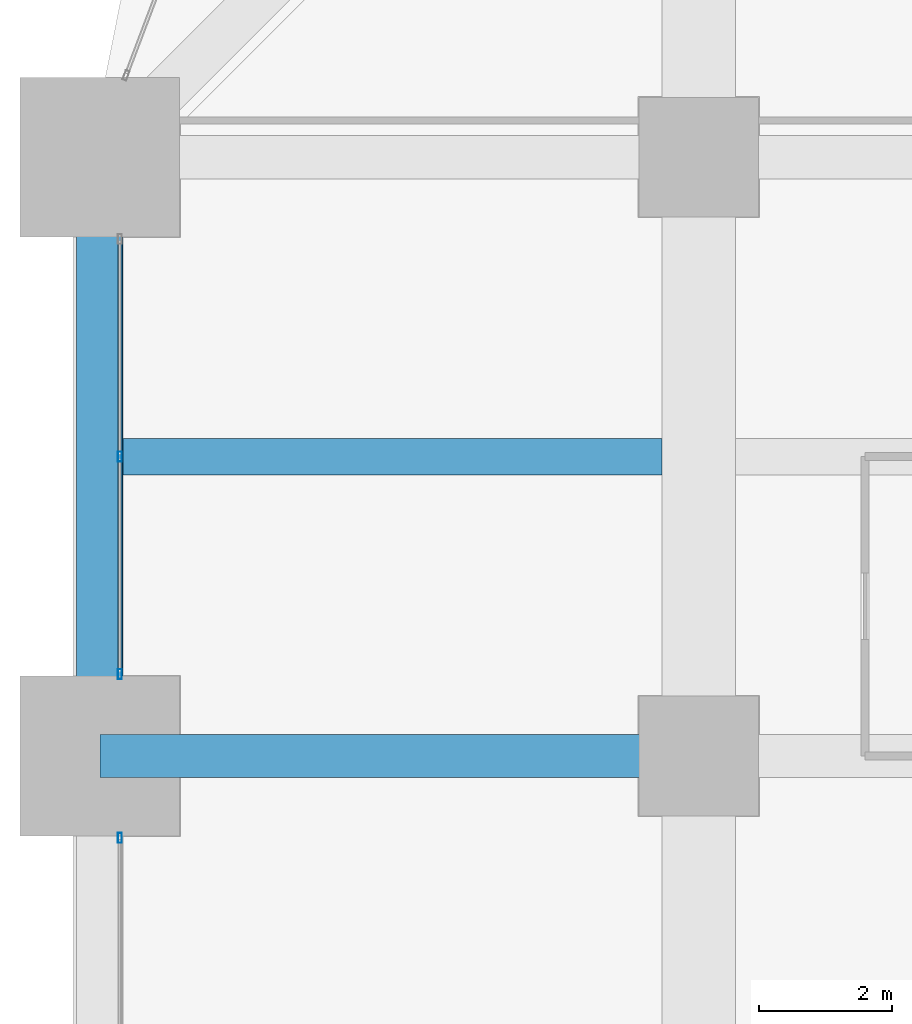
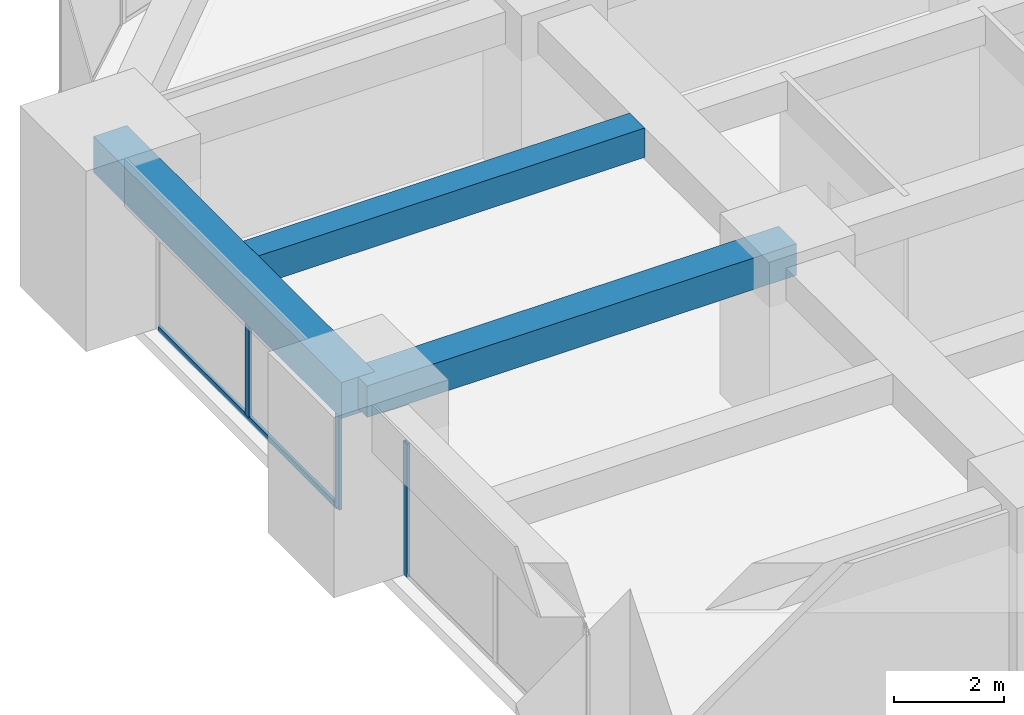
# One storey, part 11 of 39: 4 members, 3 beams, 2 elements without a shape of their own.
"""IFC4 building model written with IfcOpenShell, lengths in metres."""

from ifc_helpers import new_model, si_unit, direction, frame, origin, origin_2d, place, context, subcontext, project, spatial, rectangle, hollow_rectangle, extrude, material, material_profile, profile_set, type_object, element, aggregate, save


model = new_model("IFC4")

# Units and contexts
model_context = context("Model", 3, precision=1e-05, world=origin(), true_north=direction((0.0, 1.0)))
body_context = subcontext(model_context, "Body", "Model", "MODEL_VIEW")
ifc_project = project(units=[si_unit("LENGTHUNIT", "METRE"), si_unit("AREAUNIT", "SQUARE_METRE"), si_unit("VOLUMEUNIT", "CUBIC_METRE"), si_unit("PLANEANGLEUNIT", "RADIAN"), si_unit("MASSUNIT", "GRAM", prefix="KILO")], contexts=[model_context])

# Site, building, storey
site_placement = place(None, origin())
site = spatial("IfcSite", under=ifc_project, at=site_placement, CompositionType="ELEMENT")
building_placement = place(site_placement, origin())
building = spatial("IfcBuilding", under=site, at=building_placement, Name="Zorevar Civic Tower", CompositionType="ELEMENT")
storey_placement = place(building_placement, frame((0.0, 0.0, 125.0)))
storey = spatial("IfcBuildingStorey", under=building, at=storey_placement, Name="L30", CompositionType="ELEMENT", Elevation=125.0)

# Beams
ifc_material_1 = material(Name="Concrete C50/60", Category="concrete")
ifc_material_profile_1 = material_profile(ifc_material_1, rectangle(XDim=0.550048828125, YDim=0.64990234375, at=origin_2d()), Name="RC 550x650")
ifc_profile_set_1 = profile_set([ifc_material_profile_1], Name="Concrete C50/60")
beam_type_1 = type_object("IfcBeamType", Name="Beam RC 550x650", PredefinedType="BEAM", material=ifc_profile_set_1)
beam_1_placement = place(storey_placement, frame((0.35009765625, 31.5, 3.425048828125), z_axis=(1.0, 0.0, 0.0), x_axis=(0.0, 1.0, 0.0)))
element("IfcBeam", 1, at=beam_1_placement, inside=storey, type_object=beam_type_1, Name="Secondary beam L31", PredefinedType="BEAM", context=body_context, shape_type="SweptSolid", body=[
    extrude(rectangle(XDim=0.550048828125, YDim=0.64990234375, at=origin_2d()), origin(), (0.0, 0.0, 1.0), 8.099853515625),
])
ifc_material_2 = material(Name="Concrete C50/60", Category="concrete")
ifc_material_profile_2 = material_profile(ifc_material_2, rectangle(XDim=0.64990234375, YDim=0.699951171875, at=origin_2d()), Name="RC 650x700")
ifc_profile_set_2 = profile_set([ifc_material_profile_2], Name="Concrete C50/60")
beam_type_2 = type_object("IfcBeamType", Name="Beam RC 650x700", PredefinedType="BEAM", material=ifc_profile_set_2)
beam_2_placement = place(storey_placement, frame((0.0, 27.0, 3.39990234375), z_axis=(1.0, 0.0, 0.0), x_axis=(0.0, 1.0, 0.0)))
element("IfcBeam", 2, at=beam_2_placement, inside=storey, type_object=beam_type_2, Name="Girder L31", PredefinedType="BEAM", context=body_context, shape_type="SweptSolid", body=[
    extrude(rectangle(XDim=0.64990234375, YDim=0.699951171875, at=origin_2d()), origin(), (0.0, 0.0, 1.0), 9.0),
])

# Curtain wall, member
ifc_material_3 = material(Name="Dark grey solar-control glass in black aluminium frame", Category="aluminium")
curtain_wall_type = type_object("IfcCurtainWallType", Name="Curtain wall CW3 mid zone", PredefinedType="NOTDEFINED", material=ifc_material_3)
curtain_wall_1_placement = place(storey_placement, origin())
curtain_wall_1 = element("IfcCurtainWall", 3, at=curtain_wall_1_placement, inside=storey, type_object=curtain_wall_type, Name="CW3 L30", PredefinedType="NOTDEFINED")
ifc_material_4 = material(Name="Aluminium, black anodised", Category="aluminium")
ifc_material_profile_3 = material_profile(ifc_material_4, hollow_rectangle(XDim=0.06005859375, YDim=0.14990234375, WallThickness=0.00390625, at=origin_2d()), Name="AL 150x60x4")
ifc_profile_set_3 = profile_set([ifc_material_profile_3], Name="Aluminium, black anodised")
member_type_1 = type_object("IfcMemberType", Name="CW3 mullion AL 150x60x4", PredefinedType="MULLION", material=ifc_profile_set_3)
member_1_placement = place(storey_placement, frame((0.300048828125, 25.77001953125, 0.0), z_axis=(0.0, 0.0, 1.0), x_axis=(-1.0, 0.0, 0.0)))
member_1 = element("IfcMember", 4, at=member_1_placement, type_object=member_type_1, Name="CW3 mullion 3", PredefinedType="MULLION", context=body_context, shape_type="SweptSolid", body=[
    extrude(hollow_rectangle(XDim=0.06005859375, YDim=0.14990234375, WallThickness=0.00390625, at=origin_2d()), origin(), (0.0, 0.0, 1.0), 2.949951171875),
])
aggregate(curtain_wall_1, [member_1])

# Curtain wall, members
curtain_wall_2_placement = place(storey_placement, origin())
curtain_wall_2 = element("IfcCurtainWall", 5, at=curtain_wall_2_placement, inside=storey, type_object=curtain_wall_type, Name="CW3 L30", PredefinedType="NOTDEFINED")
member_2_placement = place(storey_placement, frame((0.300048828125, 28.22998046875, 0.0), z_axis=(0.0, 0.0, 1.0), x_axis=(-1.0, 0.0, 0.0)))
member_2 = element("IfcMember", 6, at=member_2_placement, type_object=member_type_1, Name="CW3 mullion 1", PredefinedType="MULLION", context=body_context, shape_type="SweptSolid", body=[
    extrude(hollow_rectangle(XDim=0.06005859375, YDim=0.14990234375, WallThickness=0.00390625, at=origin_2d()), origin(), (0.0, 0.0, 1.0), 2.949951171875),
])
member_3_placement = place(storey_placement, frame((0.300048828125, 31.5, 0.06005859375), z_axis=(0.0, 0.0, 1.0), x_axis=(-1.0, 0.0, 0.0)))
member_3 = element("IfcMember", 7, at=member_3_placement, type_object=member_type_1, Name="CW3 mullion 2", PredefinedType="MULLION", context=body_context, shape_type="SweptSolid", body=[
    extrude(hollow_rectangle(XDim=0.06005859375, YDim=0.14990234375, WallThickness=0.00390625, at=origin_2d()), origin(), (0.0, 0.0, 1.0), 2.889892578125),
])
ifc_material_5 = material(Name="Aluminium, black anodised", Category="aluminium")
ifc_material_profile_4 = material_profile(ifc_material_5, hollow_rectangle(XDim=0.06005859375, YDim=0.1201171875, WallThickness=0.0029296875, at=origin_2d()), Name="AL 120x60x3")
ifc_profile_set_4 = profile_set([ifc_material_profile_4], Name="Aluminium, black anodised")
member_type_2 = type_object("IfcMemberType", Name="CW3 transom AL 120x60x3", PredefinedType="USERDEFINED", material=ifc_profile_set_4)
member_4_placement = place(storey_placement, frame((0.300048828125, 28.260009765625, 0.030029296875), z_axis=(0.0, 1.0, 0.0), x_axis=(-1.0, 0.0, 0.0)))
member_4 = element("IfcMember", 8, at=member_4_placement, type_object=member_type_2, Name="CW3 sill transom", ObjectType="TRANSOM", PredefinedType="USERDEFINED", context=body_context, shape_type="SweptSolid", body=[
    extrude(hollow_rectangle(XDim=0.06005859375, YDim=0.1201171875, WallThickness=0.0029296875, at=origin_2d()), origin(), (0.0, 0.0, 1.0), 6.47998046875),
])
aggregate(curtain_wall_2, [member_2, member_3, member_4])

# Beam
ifc_material_6 = material(Name="Concrete C50/60", Category="concrete")
ifc_material_profile_5 = material_profile(ifc_material_6, rectangle(XDim=0.699951171875, YDim=0.800048828125, at=origin_2d()), Name="RC 700x800")
ifc_profile_set_5 = profile_set([ifc_material_profile_5], Name="Concrete C50/60")
beam_type_3 = type_object("IfcBeamType", Name="Edge beam RC 700x800", PredefinedType="SPANDREL", material=ifc_profile_set_5)
beam_3_placement = place(storey_placement, frame((0.0, 27.0, 3.35009765625), z_axis=(0.0, 1.0, 0.0), x_axis=(-1.0, 0.0, 0.0)))
element("IfcBeam", 9, at=beam_3_placement, inside=storey, type_object=beam_type_3, Name="Edge beam L31", PredefinedType="SPANDREL", context=body_context, shape_type="SweptSolid", body=[
    extrude(rectangle(XDim=0.699951171875, YDim=0.800048828125, at=origin_2d()), origin(), (0.0, 0.0, 1.0), 9.0),
])

save(model, "model.ifc")
